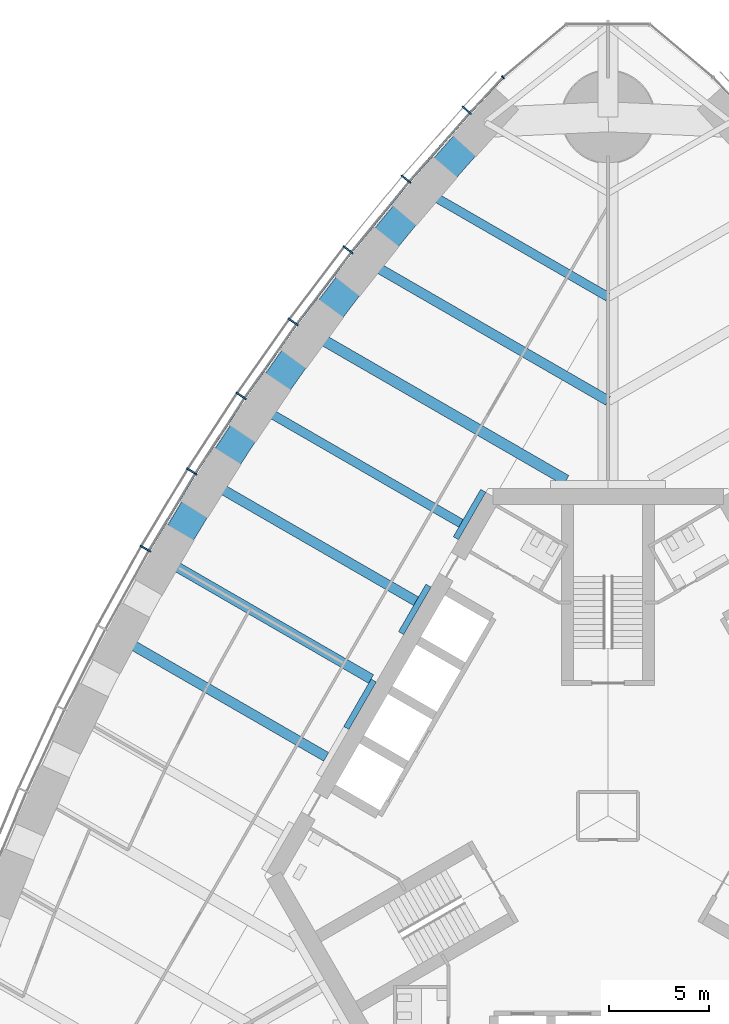
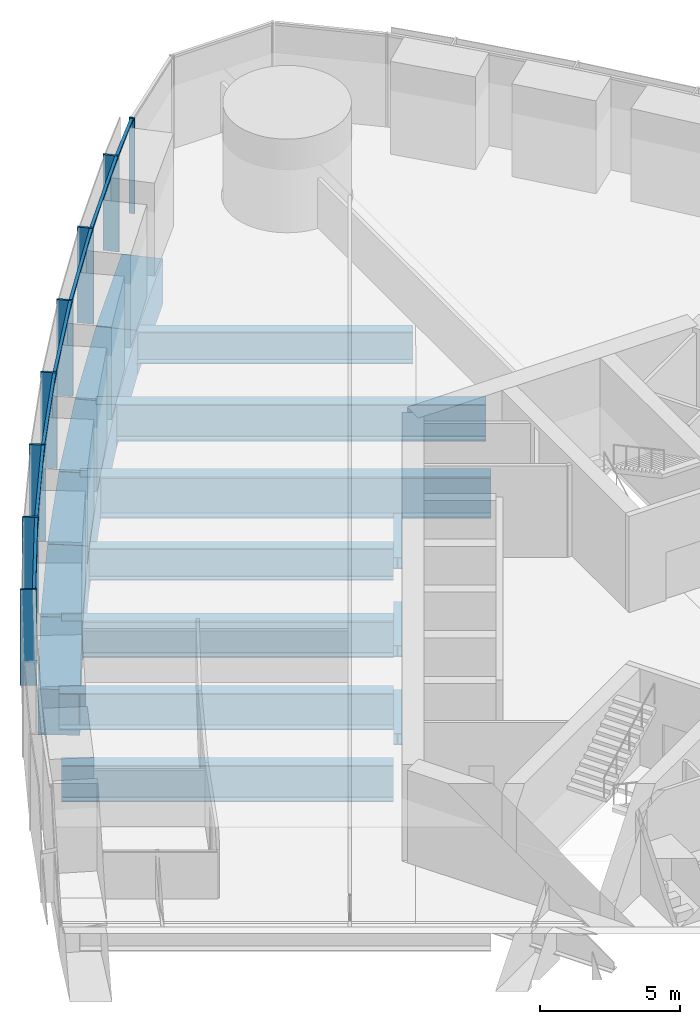
# One storey, part 4 of 20: 16 beams, 15 members, 2 elements without a shape of their own.
"""IFC4 building model written with IfcOpenShell, lengths in metres."""

from ifc_helpers import new_model, si_unit, direction, frame, origin, origin_2d, place, context, subcontext, project, spatial, rectangle, i_section, extrude, material, material_profile, profile_set, type_object, element, aggregate, save


model = new_model("IFC4")

# Units and contexts
model_context = context("Model", 3, precision=1e-05, world=origin(), true_north=direction((0.0, 1.0)))
body_context = subcontext(model_context, "Body", "Model", "MODEL_VIEW")
ifc_project = project(units=[si_unit("LENGTHUNIT", "METRE"), si_unit("AREAUNIT", "SQUARE_METRE"), si_unit("VOLUMEUNIT", "CUBIC_METRE"), si_unit("PLANEANGLEUNIT", "RADIAN"), si_unit("MASSUNIT", "GRAM", prefix="KILO")], contexts=[model_context])

# Site, building, storey
site_placement = place(None, origin())
site = spatial("IfcSite", under=ifc_project, at=site_placement, CompositionType="ELEMENT")
building_placement = place(site_placement, origin())
building = spatial("IfcBuilding", under=site, at=building_placement, Name="Trefoil Bronze Tower", CompositionType="ELEMENT")
storey_placement = place(building_placement, frame((0.0, 0.0, 103.10009765625)))
storey = spatial("IfcBuildingStorey", under=building, at=storey_placement, Name="L23", CompositionType="ELEMENT", Elevation=103.10009765625)

# Curtain wall, members
ifc_material_1 = material(Name="Tinted solar-control glass", Category="glass")
curtain_wall_type_1 = type_object("IfcCurtainWallType", Name="Bronze office curtain wall", PredefinedType="USERDEFINED", material=ifc_material_1)
curtain_wall_1_placement = place(storey_placement, origin())
curtain_wall_1 = element("IfcCurtainWall", 1, at=curtain_wall_1_placement, inside=storey, type_object=curtain_wall_type_1, Name="CW-A L23 F3", ObjectType="CURTAIN WALL", PredefinedType="USERDEFINED")
ifc_material_2 = material(Name="Bronze-finish aluminium", Category="aluminium")
ifc_material_profile_1 = material_profile(ifc_material_2, rectangle(XDim=0.60009765625, YDim=0.080078125, at=origin_2d()), Name="CW-A mullion")
ifc_profile_set_1 = profile_set([ifc_material_profile_1], Name="Bronze-finish aluminium")
member_type_1 = type_object("IfcMemberType", Name="Bronze office curtain wall mullion", PredefinedType="MULLION", material=ifc_profile_set_1)
member_1_placement = place(storey_placement, frame((-7.070068359375, 35.332275390625, 0.0), z_axis=(0.0, 0.0, 1.0), x_axis=(0.740360700327, -0.672209813534, 0.0)))
member_1 = element("IfcMember", 2, at=member_1_placement, type_object=member_type_1, Name="CW-A L23 F3 mullion 2", PredefinedType="MULLION", context=body_context, shape_type="SweptSolid", body=[
    extrude(rectangle(XDim=0.60009765625, YDim=0.080078125, at=origin_2d()), origin(), (0.0, 0.0, 1.0), 4.179931640625),
])
member_2_placement = place(storey_placement, frame((-10.11474609375, 31.8828125, 0.0), z_axis=(0.0, 0.0, 1.0), x_axis=(0.761721651066, -0.647904411389, 0.0)))
member_2 = element("IfcMember", 3, at=member_2_placement, type_object=member_type_1, Name="CW-A L23 F3 mullion 3", PredefinedType="MULLION", context=body_context, shape_type="SweptSolid", body=[
    extrude(rectangle(XDim=0.60009765625, YDim=0.080078125, at=origin_2d()), origin(), (0.0, 0.0, 1.0), 4.179931640625),
])
member_3_placement = place(storey_placement, frame((-13.01220703125, 28.34716796875, 0.0), z_axis=(0.0, 0.0, 1.0), x_axis=(0.78487913905, -0.619648882098, 0.0)))
member_3 = element("IfcMember", 4, at=member_3_placement, type_object=member_type_1, Name="CW-A L23 F3 mullion 4", PredefinedType="MULLION", context=body_context, shape_type="SweptSolid", body=[
    extrude(rectangle(XDim=0.60009765625, YDim=0.080078125, at=origin_2d()), origin(), (0.0, 0.0, 1.0), 4.179931640625),
])
member_4_placement = place(storey_placement, frame((-15.764404296875, 24.7275390625, 0.0), z_axis=(0.0, 0.0, 1.0), x_axis=(0.806874522901, -0.590722865897, 0.0)))
member_4 = element("IfcMember", 5, at=member_4_placement, type_object=member_type_1, Name="CW-A L23 F3 mullion 5", PredefinedType="MULLION", context=body_context, shape_type="SweptSolid", body=[
    extrude(rectangle(XDim=0.60009765625, YDim=0.080078125, at=origin_2d()), origin(), (0.0, 0.0, 1.0), 4.179931640625),
])
member_5_placement = place(storey_placement, frame((-18.373046875, 21.025146484375, 0.0), z_axis=(0.0, 0.0, 1.0), x_axis=(0.827723925749, -0.561135547566, 0.0)))
member_5 = element("IfcMember", 6, at=member_5_placement, type_object=member_type_1, Name="CW-A L23 F3 mullion 6", PredefinedType="MULLION", context=body_context, shape_type="SweptSolid", body=[
    extrude(rectangle(XDim=0.60009765625, YDim=0.080078125, at=origin_2d()), origin(), (0.0, 0.0, 1.0), 4.179931640625),
])
member_6_placement = place(storey_placement, frame((-20.840087890625, 17.24072265625, 0.0), z_axis=(0.0, 0.0, 1.0), x_axis=(0.84743864936, -0.530893337283, 0.0)))
member_6 = element("IfcMember", 7, at=member_6_placement, type_object=member_type_1, Name="CW-A L23 F3 mullion 7", PredefinedType="MULLION", context=body_context, shape_type="SweptSolid", body=[
    extrude(rectangle(XDim=0.60009765625, YDim=0.080078125, at=origin_2d()), origin(), (0.0, 0.0, 1.0), 4.179931640625),
])
member_7_placement = place(storey_placement, frame((-23.166015625, 13.374755859375, 0.0), z_axis=(0.0, 0.0, 1.0), x_axis=(0.866025403784, -0.5, 0.0)))
member_7 = element("IfcMember", 8, at=member_7_placement, type_object=member_type_1, Name="CW-A L23 F3 mullion 8", PredefinedType="MULLION", context=body_context, shape_type="SweptSolid", body=[
    extrude(rectangle(XDim=0.60009765625, YDim=0.080078125, at=origin_2d()), origin(), (0.0, 0.0, 1.0), 4.179931640625),
])
ifc_material_3 = material(Name="Bronze-finish aluminium", Category="aluminium")
ifc_material_profile_2 = material_profile(ifc_material_3, rectangle(XDim=0.1201171875, YDim=0.10009765625, at=origin_2d()), Name="CW-A transom")
ifc_profile_set_2 = profile_set([ifc_material_profile_2], Name="Bronze-finish aluminium")
member_type_2 = type_object("IfcMemberType", Name="Bronze office curtain wall transom", PredefinedType="USERDEFINED", material=ifc_profile_set_2)
member_8_placement = place(storey_placement, frame((-5.296630859375, 36.9384765625, 4.1298828125), z_axis=(-0.682489214428, -0.730895664366, 0.0), x_axis=(0.730895664366, -0.682489214428, 0.0)))
member_8 = element("IfcMember", 9, at=member_8_placement, type_object=member_type_2, Name="CW-A L23 F3 transom 1", ObjectType="TRANSOM", PredefinedType="USERDEFINED", context=body_context, shape_type="SweptSolid", body=[
    extrude(rectangle(XDim=0.1201171875, YDim=0.10009765625, at=origin_2d()), origin(), (0.0, 0.0, 1.0), 2.340087890625),
])
member_9_placement = place(storey_placement, frame((-6.949462890625, 35.166748046875, 4.1298828125), z_axis=(-0.66173618877, -0.749736764786, 0.0), x_axis=(0.749736764786, -0.66173618877, 0.0)))
member_9 = element("IfcMember", 10, at=member_9_placement, type_object=member_type_2, Name="CW-A L23 F3 transom 2", ObjectType="TRANSOM", PredefinedType="USERDEFINED", context=body_context, shape_type="SweptSolid", body=[
    extrude(rectangle(XDim=0.1201171875, YDim=0.10009765625, at=origin_2d()), origin(), (0.0, 0.0, 1.0), 4.510986328125),
])
member_10_placement = place(storey_placement, frame((-9.98876953125, 31.720947265625, 4.1298828125), z_axis=(-0.633848872297, -0.773456919995, 0.0), x_axis=(0.773456919995, -0.633848872297, 0.0)))
member_10 = element("IfcMember", 11, at=member_10_placement, type_object=member_type_2, Name="CW-A L23 F3 transom 3", ObjectType="TRANSOM", PredefinedType="USERDEFINED", context=body_context, shape_type="SweptSolid", body=[
    extrude(rectangle(XDim=0.1201171875, YDim=0.10009765625, at=origin_2d()), origin(), (0.0, 0.0, 1.0), 4.480224609375),
])
member_11_placement = place(storey_placement, frame((-12.880615234375, 28.18994140625, 4.1298828125), z_axis=(-0.605229114572, -0.796051329296, 0.0), x_axis=(0.796051329296, -0.605229114572, 0.0)))
member_11 = element("IfcMember", 12, at=member_11_placement, type_object=member_type_2, Name="CW-A L23 F3 transom 4", ObjectType="TRANSOM", PredefinedType="USERDEFINED", context=body_context, shape_type="SweptSolid", body=[
    extrude(rectangle(XDim=0.1201171875, YDim=0.10009765625, at=origin_2d()), origin(), (0.0, 0.0, 1.0), 4.456298828125),
])
member_12_placement = place(storey_placement, frame((-15.626953125, 24.5751953125, 4.1298828125), z_axis=(-0.576017858824, -0.817437108478, 0.0), x_axis=(0.817437108478, -0.576017858824, 0.0)))
member_12 = element("IfcMember", 13, at=member_12_placement, type_object=member_type_2, Name="CW-A L23 F3 transom 5", ObjectType="TRANSOM", PredefinedType="USERDEFINED", context=body_context, shape_type="SweptSolid", body=[
    extrude(rectangle(XDim=0.1201171875, YDim=0.10009765625, at=origin_2d()), origin(), (0.0, 0.0, 1.0), 4.4384765625),
])
member_13_placement = place(storey_placement, frame((-18.23046875, 20.877685546875, 4.1298828125), z_axis=(-0.546079336226, -0.837733465099, 0.0), x_axis=(0.837733465099, -0.546079336226, 0.0)))
member_13 = element("IfcMember", 14, at=member_13_placement, type_object=member_type_2, Name="CW-A L23 F3 transom 6", ObjectType="TRANSOM", PredefinedType="USERDEFINED", context=body_context, shape_type="SweptSolid", body=[
    extrude(rectangle(XDim=0.1201171875, YDim=0.10009765625, at=origin_2d()), origin(), (0.0, 0.0, 1.0), 4.426513671875),
])
member_14_placement = place(storey_placement, frame((-20.692138671875, 17.0986328125, 4.1298828125), z_axis=(-0.515526794174, -0.856873458854, 0.0), x_axis=(0.856873458854, -0.515526794174, 0.0)))
member_14 = element("IfcMember", 15, at=member_14_placement, type_object=member_type_2, Name="CW-A L23 F3 transom 7", ObjectType="TRANSOM", PredefinedType="USERDEFINED", context=body_context, shape_type="SweptSolid", body=[
    extrude(rectangle(XDim=0.1201171875, YDim=0.10009765625, at=origin_2d()), origin(), (0.0, 0.0, 1.0), 4.4208984375),
])
aggregate(curtain_wall_1, [member_1, member_2, member_3, member_4, member_5, member_6, member_7, member_8, member_9, member_10, member_11, member_12, member_13, member_14])

# Curtain wall, member
ifc_material_4 = material(Name="Tinted solar-control glass", Category="glass")
curtain_wall_type_2 = type_object("IfcCurtainWallType", Name="Bronze rounded corner curtain wall", PredefinedType="USERDEFINED", material=ifc_material_4)
curtain_wall_2_placement = place(storey_placement, origin())
curtain_wall_2 = element("IfcCurtainWall", 16, at=curtain_wall_2_placement, inside=storey, type_object=curtain_wall_type_2, Name="CW-B L23 K2", ObjectType="CURTAIN WALL", PredefinedType="USERDEFINED")
ifc_material_5 = material(Name="Bronze-finish aluminium", Category="aluminium")
ifc_material_profile_3 = material_profile(ifc_material_5, rectangle(XDim=0.199951171875, YDim=0.06005859375, at=origin_2d()), Name="CW-B mullion")
ifc_profile_set_3 = profile_set([ifc_material_profile_3], Name="Bronze-finish aluminium")
member_type_3 = type_object("IfcMemberType", Name="Bronze rounded corner curtain wall mullion", PredefinedType="MULLION", material=ifc_profile_set_3)
member_15_placement = place(storey_placement, frame((-5.260498046875, 36.975830078125, 0.0), z_axis=(0.0, 0.0, 1.0), x_axis=(0.642787609687, -0.766044443119, 0.0)))
member_15 = element("IfcMember", 17, at=member_15_placement, type_object=member_type_3, Name="CW-B L23 K2 mullion 4", PredefinedType="MULLION", context=body_context, shape_type="SweptSolid", body=[
    extrude(rectangle(XDim=0.199951171875, YDim=0.06005859375, at=origin_2d()), origin(), (0.0, 0.0, 1.0), 4.179931640625),
])
aggregate(curtain_wall_2, [member_15])

# Beams
ifc_material_6 = material(Name="Steel C355", Category="steel")
ifc_material_profile_4 = material_profile(ifc_material_6, i_section(OverallWidth=0.300048828125, OverallDepth=0.5, WebThickness=0.014404296875, FlangeThickness=0.028076171875, FilletRadius=0.027099609375, at=origin_2d()), Name="HEB 500")
ifc_profile_set_4 = profile_set([ifc_material_profile_4], Name="Steel C355")
beam_type_1 = type_object("IfcBeamType", Name="Core seat beam HEB 500", PredefinedType="BEAM", material=ifc_profile_set_4)
for number, where, z_axis, x_axis, name in (
    (18, (-6.249755859375, 16.27490234375, -0.4501953125), (-0.500035825175, -0.866004719122, 0.0), (0.866004719122, -0.500035825175, 0.0), "Core seat beam F3/-2 L23"),
    (19, (-8.9921875, 11.52490234375, -0.4501953125), (-0.500035825175, -0.866004719122, 0.0), (0.866004719122, -0.500035825175, 0.0), "Core seat beam F3/-1 L23"),
    (20, (-11.734619140625, 6.77490234375, -0.4501953125), (-0.500035825175, -0.866004719122, 0.0), (0.866004719122, -0.500035825175, 0.0), "Core seat beam F3/+0 L23"),
):
    element("IfcBeam", number, at=place(storey_placement, frame(where, z_axis=z_axis, x_axis=x_axis)), inside=storey, type_object=beam_type_1, Name=name, PredefinedType="BEAM", context=body_context, shape_type="SweptSolid", body=[
        extrude(i_section(OverallWidth=0.300048828125, OverallDepth=0.5, WebThickness=0.014404296875, FlangeThickness=0.028076171875, FilletRadius=0.027099609375, at=origin_2d()), origin(), (0.0, 0.0, 1.0), 2.742431640625),
    ])
ifc_material_7 = material(Name="Steel C355", Category="steel")
ifc_material_profile_5 = material_profile(ifc_material_7, i_section(OverallWidth=0.449951171875, OverallDepth=1.39990234375, WebThickness=0.02294921875, FlangeThickness=0.044921875, FilletRadius=0.011962890625, at=origin_2d()), Name="WPG 1400")
ifc_profile_set_5 = profile_set([ifc_material_profile_5], Name="Steel C355")
beam_type_2 = type_object("IfcBeamType", Name="Floor beam WPG 1400", PredefinedType="BEAM", material=ifc_profile_set_5)
beam_1_placement = place(storey_placement, frame((-9.181884765625, 31.281982421875, -0.900146484375), z_axis=(0.866021079084, -0.500007490527, 0.0), x_axis=(0.500007490527, 0.866021079084, 0.0)))
element("IfcBeam", 21, at=beam_1_placement, inside=storey, type_object=beam_type_2, Name="Floor beam F3/-5 L23", PredefinedType="BEAM", context=body_context, shape_type="SweptSolid", body=[
    extrude(i_section(OverallWidth=0.449951171875, OverallDepth=1.39990234375, WebThickness=0.02294921875, FlangeThickness=0.044921875, FilletRadius=0.011962890625, at=origin_2d()), origin(), (0.0, 0.0, 1.0), 10.602294921875),
])
beam_2_placement = place(storey_placement, frame((-17.43017578125, 20.45556640625, -0.900146484375), z_axis=(0.866030626868, -0.499990953245, 0.0), x_axis=(0.499990953245, 0.866030626868, 0.0)))
element("IfcBeam", 22, at=beam_2_placement, inside=storey, type_object=beam_type_2, Name="Floor beam F3/-2 L23", PredefinedType="BEAM", context=body_context, shape_type="SweptSolid", body=[
    extrude(i_section(OverallWidth=0.449951171875, OverallDepth=1.39990234375, WebThickness=0.02294921875, FlangeThickness=0.044921875, FilletRadius=0.011962890625, at=origin_2d()), origin(), (0.0, 0.0, 1.0), 11.622802734375),
])
ifc_material_8 = material(Name="Steel C355", Category="steel")
ifc_material_profile_6 = material_profile(ifc_material_8, i_section(OverallWidth=0.5, OverallDepth=1.60009765625, WebThickness=0.02587890625, FlangeThickness=0.050048828125, FilletRadius=0.011962890625, at=origin_2d()), Name="WPG 1600")
ifc_profile_set_6 = profile_set([ifc_material_profile_6], Name="Steel C355")
beam_type_3 = type_object("IfcBeamType", Name="Floor beam WPG 1600", PredefinedType="BEAM", material=ifc_profile_set_6)
beam_3_placement = place(storey_placement, frame((-12.07666015625, 27.757080078125, -1.0), z_axis=(0.866026983775, -0.499997263366, 0.0), x_axis=(0.499997263366, 0.866026983775, 0.0)))
element("IfcBeam", 23, at=beam_3_placement, inside=storey, type_object=beam_type_3, Name="Floor beam F3/-4 L23", PredefinedType="BEAM", context=body_context, shape_type="SweptSolid", body=[
    extrude(i_section(OverallWidth=0.5, OverallDepth=1.60009765625, WebThickness=0.02587890625, FlangeThickness=0.050048828125, FilletRadius=0.011962890625, at=origin_2d()), origin(), (0.0, 0.0, 1.0), 13.94482421875),
])
beam_4_placement = place(storey_placement, frame((-19.892578125, 16.68115234375, -1.0), z_axis=(0.866024236736, -0.500002021381, 0.0), x_axis=(0.500002021381, 0.866024236736, 0.0)))
element("IfcBeam", 24, at=beam_4_placement, inside=storey, type_object=beam_type_3, Name="Floor beam F3/-1 L23", PredefinedType="BEAM", context=body_context, shape_type="SweptSolid", body=[
    extrude(i_section(OverallWidth=0.5, OverallDepth=1.60009765625, WebThickness=0.02587890625, FlangeThickness=0.050048828125, FilletRadius=0.011962890625, at=origin_2d()), origin(), (0.0, 0.0, 1.0), 11.8681640625),
])
beam_5_placement = place(storey_placement, frame((-22.21337890625, 12.824951171875, -1.0), z_axis=(0.866028062731, -0.499995394541, 0.0), x_axis=(0.499995394541, 0.866028062731, 0.0)))
element("IfcBeam", 25, at=beam_5_placement, inside=storey, type_object=beam_type_3, Name="Floor beam F3/+0 L23", PredefinedType="BEAM", context=body_context, shape_type="SweptSolid", body=[
    extrude(i_section(OverallWidth=0.5, OverallDepth=1.60009765625, WebThickness=0.02587890625, FlangeThickness=0.050048828125, FilletRadius=0.011962890625, at=origin_2d()), origin(), (0.0, 0.0, 1.0), 11.94970703125),
])
beam_6_placement = place(storey_placement, frame((-24.392578125, 8.886962890625, -1.0), z_axis=(0.866024236736, -0.500002021381, 0.0), x_axis=(0.500002021381, 0.866024236736, 0.0)))
element("IfcBeam", 26, at=beam_6_placement, inside=storey, type_object=beam_type_3, Name="Floor beam F3/+1 L23", PredefinedType="BEAM", context=body_context, shape_type="SweptSolid", body=[
    extrude(i_section(OverallWidth=0.5, OverallDepth=1.60009765625, WebThickness=0.02587890625, FlangeThickness=0.050048828125, FilletRadius=0.011962890625, at=origin_2d()), origin(), (0.0, 0.0, 1.0), 11.8681640625),
])
ifc_material_9 = material(Name="Steel C355", Category="steel")
ifc_material_profile_7 = material_profile(ifc_material_9, i_section(OverallWidth=0.550048828125, OverallDepth=1.800048828125, WebThickness=0.029052734375, FlangeThickness=0.054931640625, FilletRadius=0.013916015625, at=origin_2d()), Name="WPG 1800")
ifc_profile_set_7 = profile_set([ifc_material_profile_7], Name="Steel C355")
beam_type_4 = type_object("IfcBeamType", Name="Floor beam WPG 1800", PredefinedType="BEAM", material=ifc_profile_set_7)
beam_7_placement = place(storey_placement, frame((-14.825439453125, 24.14794921875, -1.10009765625), z_axis=(0.866027342682, -0.499996641717, 0.0), x_axis=(0.499996641717, 0.866027342682, 0.0)))
element("IfcBeam", 27, at=beam_7_placement, inside=storey, type_object=beam_type_4, Name="Floor beam F3/-3 L23", PredefinedType="BEAM", context=body_context, shape_type="SweptSolid", body=[
    extrude(i_section(OverallWidth=0.550048828125, OverallDepth=1.800048828125, WebThickness=0.029052734375, FlangeThickness=0.054931640625, FilletRadius=0.013916015625, at=origin_2d()), origin(), (0.0, 0.0, 1.0), 14.69580078125),
])
ifc_material_10 = material(Name="Concrete B80", Category="concrete")
ifc_material_profile_8 = material_profile(ifc_material_10, rectangle(XDim=1.5, YDim=2.0, at=origin_2d()), Name="RC 1500x2000")
ifc_profile_set_8 = profile_set([ifc_material_profile_8], Name="Concrete B80")
beam_type_5 = type_object("IfcBeamType", Name="Spandrel beam RC 1500x2000", PredefinedType="SPANDREL", material=ifc_profile_set_8)
beam_8_placement = place(storey_placement, frame((-6.13916015625, 34.72119140625, -1.2001953125), z_axis=(-0.662616326239, -0.748959013699, 0.0), x_axis=(0.748959013699, -0.662616326239, 0.0)))
element("IfcBeam", 28, at=beam_8_placement, inside=storey, type_object=beam_type_5, Name="Spandrel F3.2 L23", PredefinedType="SPANDREL", context=body_context, shape_type="SweptSolid", body=[
    extrude(rectangle(XDim=1.5, YDim=2.0, at=origin_2d()), origin(), (0.0, 0.0, 1.0), 4.592041015625),
])
beam_9_placement = place(storey_placement, frame((-9.181884765625, 31.281982421875, -1.2001953125), z_axis=(-0.634650386838, -0.772799383079, 0.0), x_axis=(0.772799383079, -0.634650386838, 0.0)))
element("IfcBeam", 29, at=beam_9_placement, inside=storey, type_object=beam_type_5, Name="Spandrel F3.3 L23", PredefinedType="SPANDREL", context=body_context, shape_type="SweptSolid", body=[
    extrude(rectangle(XDim=1.5, YDim=2.0, at=origin_2d()), origin(), (0.0, 0.0, 1.0), 4.561279296875),
])
beam_10_placement = place(storey_placement, frame((-12.07666015625, 27.757080078125, -1.2001953125), z_axis=(-0.605898901788, -0.795541652468, 0.0), x_axis=(0.795541652468, -0.605898901788, 0.0)))
element("IfcBeam", 30, at=beam_10_placement, inside=storey, type_object=beam_type_5, Name="Spandrel F3.4 L23", PredefinedType="SPANDREL", context=body_context, shape_type="SweptSolid", body=[
    extrude(rectangle(XDim=1.5, YDim=2.0, at=origin_2d()), origin(), (0.0, 0.0, 1.0), 4.53662109375),
])
beam_11_placement = place(storey_placement, frame((-14.825439453125, 24.14794921875, -1.2001953125), z_axis=(-0.576439228712, -0.81714002203, 0.0), x_axis=(0.81714002203, -0.576439228712, 0.0)))
element("IfcBeam", 31, at=beam_11_placement, inside=storey, type_object=beam_type_5, Name="Spandrel F3.5 L23", PredefinedType="SPANDREL", context=body_context, shape_type="SweptSolid", body=[
    extrude(rectangle(XDim=1.5, YDim=2.0, at=origin_2d()), origin(), (0.0, 0.0, 1.0), 4.5185546875),
])
beam_12_placement = place(storey_placement, frame((-17.43017578125, 20.45556640625, -1.2001953125), z_axis=(-0.546396670296, -0.83752652417, 0.0), x_axis=(0.83752652417, -0.546396670296, 0.0)))
element("IfcBeam", 32, at=beam_12_placement, inside=storey, type_object=beam_type_5, Name="Spandrel F3.6 L23", PredefinedType="SPANDREL", context=body_context, shape_type="SweptSolid", body=[
    extrude(rectangle(XDim=1.5, YDim=2.0, at=origin_2d()), origin(), (0.0, 0.0, 1.0), 4.506591796875),
])
beam_13_placement = place(storey_placement, frame((-19.892578125, 16.68115234375, -1.2001953125), z_axis=(-0.515651979972, -0.856798129988, 0.0), x_axis=(0.856798129988, -0.515651979972, 0.0)))
element("IfcBeam", 33, at=beam_13_placement, inside=storey, type_object=beam_type_5, Name="Spandrel F3.7 L23", PredefinedType="SPANDREL", context=body_context, shape_type="SweptSolid", body=[
    extrude(rectangle(XDim=1.5, YDim=2.0, at=origin_2d()), origin(), (0.0, 0.0, 1.0), 4.500732421875),
])

save(model, "model.ifc")
